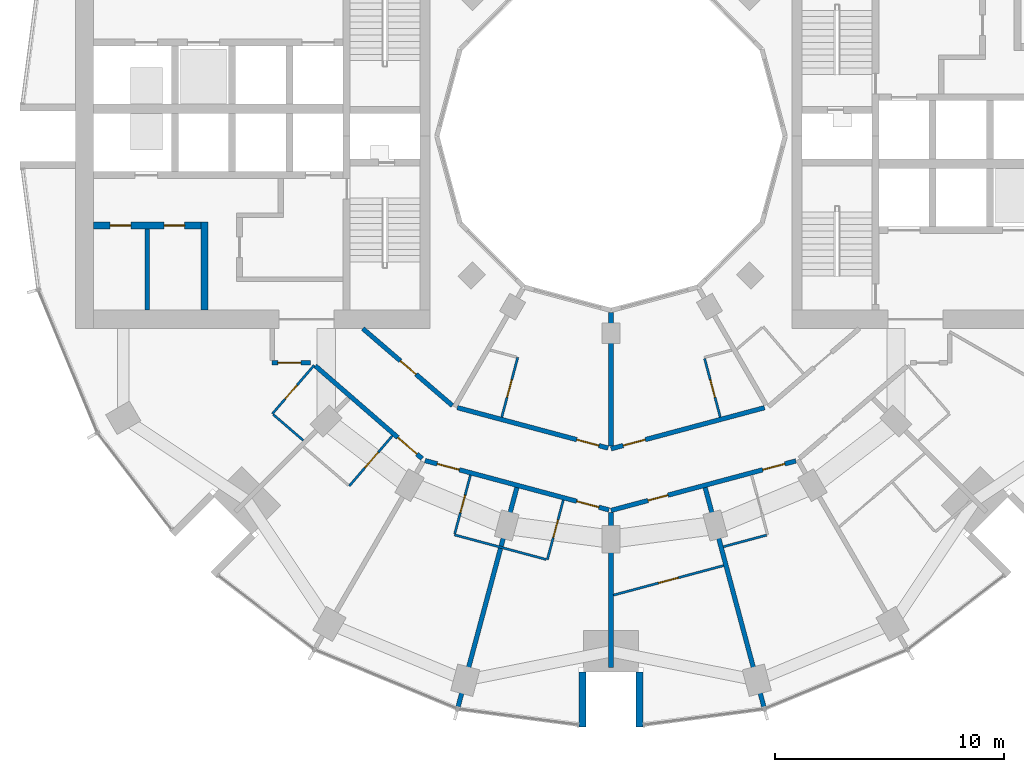
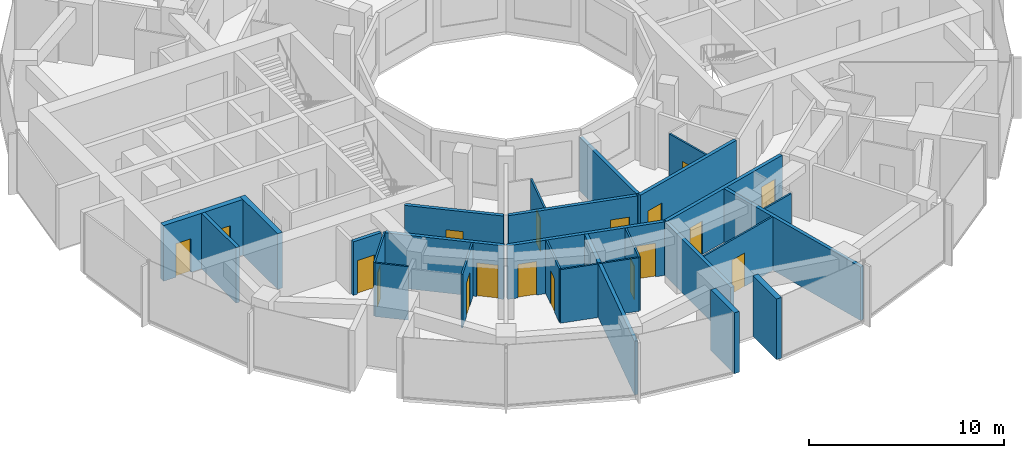
# One storey, part 8 of 15: 26 walls, 18 doors, 18 openings.
"""IFC4 building model written with IfcOpenShell, lengths in metres."""

from ifc_helpers import new_model, si_unit, direction, frame, frame_2d, origin, place, context, subcontext, project, spatial, rectangle, extrude, material, layer, layer_set, type_object, element, fill, save


model = new_model("IFC4")

# Units and contexts
model_context = context("Model", 3, precision=1e-05, world=origin(), true_north=direction((0.0, 1.0)))
body_context = subcontext(model_context, "Body", "Model", "MODEL_VIEW")
ifc_project = project(units=[si_unit("LENGTHUNIT", "METRE"), si_unit("AREAUNIT", "SQUARE_METRE"), si_unit("VOLUMEUNIT", "CUBIC_METRE"), si_unit("PLANEANGLEUNIT", "RADIAN"), si_unit("MASSUNIT", "GRAM", prefix="KILO")], contexts=[model_context])

# Site, building, storey
site_placement = place(None, origin())
site = spatial("IfcSite", under=ifc_project, at=site_placement, CompositionType="ELEMENT")
building_placement = place(site_placement, origin())
building = spatial("IfcBuilding", under=site, at=building_placement, Name="Torre Brocal", CompositionType="ELEMENT")
storey_placement = place(building_placement, frame((0.0, 0.0, 40.199951171875)))
storey = spatial("IfcBuildingStorey", under=building, at=storey_placement, Name="L08", CompositionType="ELEMENT", Elevation=40.199951171875)

# Walls
ifc_material_1 = material(Name="Masonry block", Category="masonry")
ifc_layer_1 = layer(ifc_material_1, 0.199951171875)
ifc_layer_set_1 = layer_set([ifc_layer_1], Name="Masonry block")
wall_type_1 = type_object("IfcWallType", Name="CORE PARTITION 200", PredefinedType="PARTITIONING", material=ifc_layer_set_1)
wall_1_placement = place(storey_placement, frame((59.75, 70.949951171875, 0.0), z_axis=(0.0, 0.0, 1.0), x_axis=(0.0, -1.0, 0.0)))
element("IfcWall", 1, at=wall_1_placement, inside=storey, type_object=wall_type_1, Name="Wall CP200", PredefinedType="PARTITIONING", context=body_context, shape_type="SweptSolid", body=[
    extrude(rectangle(XDim=3.550048828125, YDim=0.199951171875, at=frame_2d((1.77490234375, 0.0))), origin(), (0.0, 0.0, 1.0), 3.47998046875),
])
ifc_material_2 = material(Name="Concrete C80", Category="concrete")
ifc_layer_2 = layer(ifc_material_2, 0.300048828125)
ifc_layer_set_2 = layer_set([ifc_layer_2], Name="Concrete C80")
wall_type_2 = type_object("IfcWallType", Name="CORE WALL 300 C80", PredefinedType="SHEAR", material=ifc_layer_set_2)
wall_2_placement = place(storey_placement, frame((62.25, 71.25, 0.0), z_axis=(0.0, 0.0, 1.0), x_axis=(0.0, -1.0, 0.0)))
element("IfcWall", 2, at=wall_2_placement, inside=storey, type_object=wall_type_2, Name="Wall CW300-80", PredefinedType="SHEAR", context=body_context, shape_type="SweptSolid", body=[
    extrude(rectangle(XDim=3.85009765625, YDim=0.300048828125, at=frame_2d((1.925048828125, 0.0))), origin(), (0.0, 0.0, 1.0), 3.47998046875),
])

# Wall, openings, doors
wall_3_placement = place(storey_placement, frame((62.10009765625, 71.10009765625, 0.0), z_axis=(0.0, 0.0, 1.0), x_axis=(-1.0, 0.0, 0.0)))
wall_3 = element("IfcWall", 3, at=wall_3_placement, inside=storey, type_object=wall_type_2, Name="Wall CW300-80", PredefinedType="SHEAR", context=body_context, shape_type="SweptSolid", body=[
    extrude(rectangle(XDim=4.7001953125, YDim=0.300048828125, at=frame_2d((2.35009765625, 0.0))), origin(), (0.0, 0.0, 1.0), 3.47998046875),
])
opening_1_placement = place(wall_3_placement, frame((0.72509765625, 0.0, 0.0)))
opening_1 = element("IfcOpeningElement", 4, at=opening_1_placement, cuts=wall_3, Name="Opening W-D05", PredefinedType="OPENING", context=body_context, shape_type="SweptSolid", body=[
    extrude(rectangle(XDim=0.89990234375, YDim=2.10009765625, at=frame_2d((0.449951171875, 1.050048828125))), frame((0.0, 0.159912109375, 0.0), z_axis=(0.0, -1.0, 0.0), x_axis=(1.0, 0.0, 0.0)), (0.0, 0.0, 1.0), 0.320068359375),
])
opening_2_placement = place(wall_3_placement, frame((3.074951171875, 0.0, 0.0)))
opening_2 = element("IfcOpeningElement", 5, at=opening_2_placement, cuts=wall_3, Name="Opening W-D06", PredefinedType="OPENING", context=body_context, shape_type="SweptSolid", body=[
    extrude(rectangle(XDim=0.89990234375, YDim=2.10009765625, at=frame_2d((0.449951171875, 1.050048828125))), frame((0.0, 0.159912109375, 0.0), z_axis=(0.0, -1.0, 0.0), x_axis=(1.0, 0.0, 0.0)), (0.0, 0.0, 1.0), 0.320068359375),
])
ifc_material_3 = material(Name="Steel A653", Category="steel")
door_type_1 = type_object("IfcDoorType", Name="ROOM DOOR FD30S 900X2100", OperationType="SINGLE_SWING_LEFT", PredefinedType="DOOR", material=ifc_material_3)
door_1_placement = place(opening_1_placement, origin())
door_1 = element("IfcDoor", 6, at=door_1_placement, inside=storey, type_object=door_type_1, Name="Door W-D05", OperationType="SINGLE_SWING_RIGHT", OverallHeight=2.10009765625, OverallWidth=0.89990234375, PredefinedType="DOOR", context=body_context, shape_type="SweptSolid", body=[
    extrude(rectangle(XDim=0.89990234375, YDim=2.10009765625, at=frame_2d((0.449951171875, 1.050048828125))), frame((0.0, 0.02490234375, 0.0), z_axis=(0.0, -1.0, 0.0), x_axis=(1.0, 0.0, 0.0)), (0.0, 0.0, 1.0), 0.050048828125),
])
fill(opening_1, door_1)
door_2_placement = place(opening_2_placement, origin())
door_2 = element("IfcDoor", 7, at=door_2_placement, inside=storey, type_object=door_type_1, Name="Door W-D06", OperationType="SINGLE_SWING_LEFT", OverallHeight=2.10009765625, OverallWidth=0.89990234375, PredefinedType="DOOR", context=body_context, shape_type="SweptSolid", body=[
    extrude(rectangle(XDim=0.89990234375, YDim=2.10009765625, at=frame_2d((0.449951171875, 1.050048828125))), frame((0.0, 0.02490234375, 0.0), z_axis=(0.0, -1.0, 0.0), x_axis=(1.0, 0.0, 0.0)), (0.0, 0.0, 1.0), 0.050048828125),
])
fill(opening_2, door_2)

# Walls
ifc_material_4 = material(Name="Concrete C80", Category="concrete")
ifc_layer_3 = layer(ifc_material_4, 0.300048828125)
ifc_layer_set_3 = layer_set([ifc_layer_3], Name="Concrete C80")
wall_type_3 = type_object("IfcWallType", Name="NOTCH RETURN WALL 300 C80", PredefinedType="NOTDEFINED", material=ifc_layer_set_3)
for number, where, z_axis, x_axis, name in (
    (8, (78.75, 51.60009765625, 0.0), (0.0, 0.0, 1.0), (0.0, -1.0, 0.0), "NOTCH RETURN WALL"),
    (9, (81.25, 51.60009765625, 0.0), (0.0, 0.0, 1.0), (0.0, -1.0, 0.0), "NOTCH RETURN WALL"),
):
    element("IfcWall", number, at=place(storey_placement, frame(where, z_axis=z_axis, x_axis=x_axis)), inside=storey, type_object=wall_type_3, Name=name, PredefinedType="NOTDEFINED", context=body_context, shape_type="SweptSolid", body=[
        extrude(rectangle(XDim=2.415771484375, YDim=0.300048828125, at=frame_2d((1.2080078125, 0.0))), origin(), (0.0, 0.0, 1.0), 3.800048828125),
    ])
ifc_material_5 = material(Name="Gypsum board", Category="Gypsum")
ifc_layer_4 = layer(ifc_material_5, 0.10009765625)
ifc_layer_set_4 = layer_set([ifc_layer_4], Name="Gypsum board")
wall_type_4 = type_object("IfcWallType", Name="PARTITION 100", PredefinedType="PARTITIONING", material=ifc_layer_set_4)
wall_4_placement = place(storey_placement, frame((65.245849609375, 62.84228515625, 0.0), z_axis=(0.0, 0.0, 1.0), x_axis=(0.758030338995, -0.652219292234, 0.0)))
element("IfcWall", 10, at=wall_4_placement, inside=storey, type_object=wall_type_4, Name="BATHROOM WALL", PredefinedType="PARTITIONING", context=body_context, shape_type="SweptSolid", body=[
    extrude(rectangle(XDim=1.73046875, YDim=0.10009765625, at=frame_2d((0.865234375, 0.0))), origin(), (0.0, 0.0, 1.0), 3.35009765625),
])

# Wall, opening, door
wall_5_placement = place(storey_placement, frame((65.2080078125, 62.875, 0.0), z_axis=(0.0, 0.0, 1.0), x_axis=(0.65205430601, 0.758172264076, 0.0)))
wall_5 = element("IfcWall", 11, at=wall_5_placement, inside=storey, type_object=wall_type_4, Name="BATHROOM WALL", PredefinedType="PARTITIONING", context=body_context, shape_type="SweptSolid", body=[
    extrude(rectangle(XDim=2.7998046875, YDim=0.10009765625, at=frame_2d((1.39990234375, 0.0))), origin(), (0.0, 0.0, 1.0), 3.35009765625),
])
opening_3_placement = place(wall_5_placement, frame((0.85009765625, 0.0, 0.0)))
opening_3 = element("IfcOpeningElement", 12, at=opening_3_placement, cuts=wall_5, Name="Opening H02-D40", PredefinedType="OPENING", context=body_context, shape_type="SweptSolid", body=[
    extrude(rectangle(XDim=0.800048828125, YDim=2.10009765625, at=frame_2d((0.39990234375, 1.050048828125))), frame((0.0, 0.06005859375, 0.0), z_axis=(0.0, -1.0, 0.0), x_axis=(1.0, 0.0, 0.0)), (0.0, 0.0, 1.0), 0.1201171875),
])
ifc_material_6 = material(Name="Timber", Category="wood")
door_type_2 = type_object("IfcDoorType", Name="BATHROOM DOOR 800X2100", OperationType="SINGLE_SWING_LEFT", PredefinedType="DOOR", material=ifc_material_6)
door_3_placement = place(opening_3_placement, frame((0.800048828125, 0.0, 0.0), z_axis=(0.0, 0.0, 1.0), x_axis=(-1.0, 0.0, 0.0)))
door_3 = element("IfcDoor", 13, at=door_3_placement, inside=storey, type_object=door_type_2, Name="H02-D40", OperationType="SINGLE_SWING_RIGHT", OverallHeight=2.10009765625, OverallWidth=0.800048828125, PredefinedType="DOOR", context=body_context, shape_type="SweptSolid", body=[
    extrude(rectangle(XDim=0.800048828125, YDim=2.10009765625, at=frame_2d((0.39990234375, 1.050048828125))), frame((0.0, 0.02490234375, 0.0), z_axis=(0.0, -1.0, 0.0), x_axis=(1.0, 0.0, 0.0)), (0.0, 0.0, 1.0), 0.050048828125),
])
fill(opening_3, door_3)

wall_6_placement = place(storey_placement, frame((68.56591796875, 59.721923828125, 0.0), z_axis=(0.0, 0.0, 1.0), x_axis=(0.65193146671, 0.758277892803, 0.0)))
wall_6 = element("IfcWall", 14, at=wall_6_placement, inside=storey, type_object=wall_type_4, Name="BATHROOM WALL", PredefinedType="PARTITIONING", context=body_context, shape_type="SweptSolid", body=[
    extrude(rectangle(XDim=2.890380859375, YDim=0.10009765625, at=frame_2d((1.4453125, 0.0))), origin(), (0.0, 0.0, 1.0), 3.35009765625),
])
opening_4_placement = place(wall_6_placement, frame((1.050048828125, 0.0, 0.0)))
opening_4 = element("IfcOpeningElement", 15, at=opening_4_placement, cuts=wall_6, Name="Opening H02-D38", PredefinedType="OPENING", context=body_context, shape_type="SweptSolid", body=[
    extrude(rectangle(XDim=0.89990234375, YDim=2.10009765625, at=frame_2d((0.449951171875, 1.050048828125))), frame((0.0, 0.06005859375, 0.0), z_axis=(0.0, -1.0, 0.0), x_axis=(1.0, 0.0, 0.0)), (0.0, 0.0, 1.0), 0.1201171875),
])
ifc_material_7 = material(Name="Timber", Category="wood")
door_type_3 = type_object("IfcDoorType", Name="ACCESSIBLE BATHROOM DOOR 900X2100", OperationType="SINGLE_SWING_LEFT", PredefinedType="DOOR", material=ifc_material_7)
door_4_placement = place(opening_4_placement, origin())
door_4 = element("IfcDoor", 16, at=door_4_placement, inside=storey, type_object=door_type_3, Name="H02-D38", OperationType="SINGLE_SWING_RIGHT", OverallHeight=2.10009765625, OverallWidth=0.89990234375, PredefinedType="DOOR", context=body_context, shape_type="SweptSolid", body=[
    extrude(rectangle(XDim=0.89990234375, YDim=2.10009765625, at=frame_2d((0.449951171875, 1.050048828125))), frame((0.0, 0.02490234375, 0.0), z_axis=(0.0, -1.0, 0.0), x_axis=(1.0, 0.0, 0.0)), (0.0, 0.0, 1.0), 0.050048828125),
])
fill(opening_4, door_4)

wall_7_placement = place(storey_placement, frame((73.173828125, 57.63623046875, 0.0), z_axis=(0.0, 0.0, 1.0), x_axis=(0.258952498977, 0.96589005755, 0.0)))
wall_7 = element("IfcWall", 17, at=wall_7_placement, inside=storey, type_object=wall_type_4, Name="BATHROOM WALL", PredefinedType="PARTITIONING", context=body_context, shape_type="SweptSolid", body=[
    extrude(rectangle(XDim=2.650146484375, YDim=0.10009765625, at=frame_2d((1.3251953125, 0.0))), origin(), (0.0, 0.0, 1.0), 3.35009765625),
])
opening_5_placement = place(wall_7_placement, frame((0.9501953125, 0.0, 0.0)))
opening_5 = element("IfcOpeningElement", 18, at=opening_5_placement, cuts=wall_7, Name="Opening H02-D36", PredefinedType="OPENING", context=body_context, shape_type="SweptSolid", body=[
    extrude(rectangle(XDim=0.800048828125, YDim=2.10009765625, at=frame_2d((0.39990234375, 1.050048828125))), frame((0.0, 0.06005859375, 0.0), z_axis=(0.0, -1.0, 0.0), x_axis=(1.0, 0.0, 0.0)), (0.0, 0.0, 1.0), 0.1201171875),
])
door_5_placement = place(opening_5_placement, frame((0.800048828125, 0.0, 0.0), z_axis=(0.0, 0.0, 1.0), x_axis=(-1.0, 0.0, 0.0)))
door_5 = element("IfcDoor", 19, at=door_5_placement, inside=storey, type_object=door_type_2, Name="H02-D36", OperationType="SINGLE_SWING_LEFT", OverallHeight=2.10009765625, OverallWidth=0.800048828125, PredefinedType="DOOR", context=body_context, shape_type="SweptSolid", body=[
    extrude(rectangle(XDim=0.800048828125, YDim=2.10009765625, at=frame_2d((0.39990234375, 1.050048828125))), frame((0.0, 0.02490234375, 0.0), z_axis=(0.0, -1.0, 0.0), x_axis=(1.0, 0.0, 0.0)), (0.0, 0.0, 1.0), 0.050048828125),
])
fill(opening_5, door_5)

# Wall
wall_8_placement = place(storey_placement, frame((73.160888671875, 57.587890625, 0.0), z_axis=(0.0, 0.0, 1.0), x_axis=(0.965858994467, -0.259068336173, 0.0)))
element("IfcWall", 20, at=wall_8_placement, inside=storey, type_object=wall_type_4, Name="BATHROOM WALL", PredefinedType="PARTITIONING", context=body_context, shape_type="SweptSolid", body=[
    extrude(rectangle(XDim=4.150146484375, YDim=0.10009765625, at=frame_2d((2.0751953125, 0.0))), origin(), (0.0, 0.0, 1.0), 3.35009765625),
])

# Wall, opening, door
wall_9_placement = place(storey_placement, frame((75.226806640625, 62.728759765625, 0.0), z_axis=(0.0, 0.0, 1.0), x_axis=(0.258945475746, 0.965891940432, 0.0)))
wall_9 = element("IfcWall", 21, at=wall_9_placement, inside=storey, type_object=wall_type_4, Name="BATHROOM WALL", PredefinedType="PARTITIONING", context=body_context, shape_type="SweptSolid", body=[
    extrude(rectangle(XDim=2.7001953125, YDim=0.10009765625, at=frame_2d((1.35009765625, 0.0))), origin(), (0.0, 0.0, 1.0), 3.35009765625),
])
opening_6_placement = place(wall_9_placement, frame((0.900146484375, 0.0, 0.0)))
opening_6 = element("IfcOpeningElement", 22, at=opening_6_placement, cuts=wall_9, Name="Opening H02-D46", PredefinedType="OPENING", context=body_context, shape_type="SweptSolid", body=[
    extrude(rectangle(XDim=0.800048828125, YDim=2.10009765625, at=frame_2d((0.39990234375, 1.050048828125))), frame((0.0, 0.06005859375, 0.0), z_axis=(0.0, -1.0, 0.0), x_axis=(1.0, 0.0, 0.0)), (0.0, 0.0, 1.0), 0.1201171875),
])
door_6_placement = place(opening_6_placement, origin())
door_6 = element("IfcDoor", 23, at=door_6_placement, inside=storey, type_object=door_type_2, Name="H02-D46", OperationType="SINGLE_SWING_LEFT", OverallHeight=2.10009765625, OverallWidth=0.800048828125, PredefinedType="DOOR", context=body_context, shape_type="SweptSolid", body=[
    extrude(rectangle(XDim=0.800048828125, YDim=2.10009765625, at=frame_2d((0.39990234375, 1.050048828125))), frame((0.0, 0.02490234375, 0.0), z_axis=(0.0, -1.0, 0.0), x_axis=(1.0, 0.0, 0.0)), (0.0, 0.0, 1.0), 0.050048828125),
])
fill(opening_6, door_6)

wall_10_placement = place(storey_placement, frame((77.218017578125, 56.5009765625, 0.0), z_axis=(0.0, 0.0, 1.0), x_axis=(0.258591408257, 0.965986792651, 0.0)))
wall_10 = element("IfcWall", 24, at=wall_10_placement, inside=storey, type_object=wall_type_4, Name="BATHROOM WALL", PredefinedType="PARTITIONING", context=body_context, shape_type="SweptSolid", body=[
    extrude(rectangle(XDim=2.69921875, YDim=0.10009765625, at=frame_2d((1.349609375, 0.0))), origin(), (0.0, 0.0, 1.0), 3.35009765625),
])
opening_7_placement = place(wall_10_placement, frame((0.99951171875, 0.0, 0.0)))
opening_7 = element("IfcOpeningElement", 25, at=opening_7_placement, cuts=wall_10, Name="Opening H02-D34", PredefinedType="OPENING", context=body_context, shape_type="SweptSolid", body=[
    extrude(rectangle(XDim=0.800048828125, YDim=2.10009765625, at=frame_2d((0.39990234375, 1.050048828125))), frame((0.0, 0.06005859375, 0.0), z_axis=(0.0, -1.0, 0.0), x_axis=(1.0, 0.0, 0.0)), (0.0, 0.0, 1.0), 0.1201171875),
])
door_7_placement = place(opening_7_placement, origin())
door_7 = element("IfcDoor", 26, at=door_7_placement, inside=storey, type_object=door_type_2, Name="H02-D34", OperationType="SINGLE_SWING_RIGHT", OverallHeight=2.10009765625, OverallWidth=0.800048828125, PredefinedType="DOOR", context=body_context, shape_type="SweptSolid", body=[
    extrude(rectangle(XDim=0.800048828125, YDim=2.10009765625, at=frame_2d((0.39990234375, 1.050048828125))), frame((0.0, 0.02490234375, 0.0), z_axis=(0.0, -1.0, 0.0), x_axis=(1.0, 0.0, 0.0)), (0.0, 0.0, 1.0), 0.050048828125),
])
fill(opening_7, door_7)

wall_11_placement = place(storey_placement, frame((80.106201171875, 54.95556640625, 0.0), z_axis=(0.0, 0.0, 1.0), x_axis=(0.965910666284, 0.258875616386, 0.0)))
wall_11 = element("IfcWall", 27, at=wall_11_placement, inside=storey, type_object=wall_type_4, Name="ROOM PARTITION", PredefinedType="PARTITIONING", context=body_context, shape_type="SweptSolid", body=[
    extrude(rectangle(XDim=4.985107421875, YDim=0.10009765625, at=frame_2d((2.49267578125, 0.0))), origin(), (0.0, 0.0, 1.0), 3.35009765625),
])
opening_8_placement = place(wall_11_placement, frame((2.03759765625, 0.0, 0.0)))
opening_8 = element("IfcOpeningElement", 28, at=opening_8_placement, cuts=wall_11, Name="Opening H02-D32", PredefinedType="OPENING", context=body_context, shape_type="SweptSolid", body=[
    extrude(rectangle(XDim=0.89990234375, YDim=2.10009765625, at=frame_2d((0.449951171875, 1.050048828125))), frame((0.0, 0.06005859375, 0.0), z_axis=(0.0, -1.0, 0.0), x_axis=(1.0, 0.0, 0.0)), (0.0, 0.0, 1.0), 0.1201171875),
])
ifc_material_8 = material(Name="Timber", Category="wood")
door_type_4 = type_object("IfcDoorType", Name="ROOM DOOR 900X2100", OperationType="SINGLE_SWING_LEFT", PredefinedType="DOOR", material=ifc_material_8)
door_8_placement = place(opening_8_placement, origin())
door_8 = element("IfcDoor", 29, at=door_8_placement, inside=storey, type_object=door_type_4, Name="H02-D32", OperationType="SINGLE_SWING_LEFT", OverallHeight=2.10009765625, OverallWidth=0.89990234375, PredefinedType="DOOR", context=body_context, shape_type="SweptSolid", body=[
    extrude(rectangle(XDim=0.89990234375, YDim=2.10009765625, at=frame_2d((0.449951171875, 1.050048828125))), frame((0.0, 0.02490234375, 0.0), z_axis=(0.0, -1.0, 0.0), x_axis=(1.0, 0.0, 0.0)), (0.0, 0.0, 1.0), 0.050048828125),
])
fill(opening_8, door_8)

wall_12_placement = place(storey_placement, frame((84.0869140625, 65.288818359375, 0.0), z_axis=(0.0, 0.0, 1.0), x_axis=(0.258929459649, -0.965896234037, 0.0)))
wall_12 = element("IfcWall", 30, at=wall_12_placement, inside=storey, type_object=wall_type_4, Name="BATHROOM WALL", PredefinedType="PARTITIONING", context=body_context, shape_type="SweptSolid", body=[
    extrude(rectangle(XDim=2.650390625, YDim=0.10009765625, at=frame_2d((1.3251953125, 0.0))), origin(), (0.0, 0.0, 1.0), 3.35009765625),
])
opening_9_placement = place(wall_12_placement, frame((0.9501953125, 0.0, 0.0)))
opening_9 = element("IfcOpeningElement", 31, at=opening_9_placement, cuts=wall_12, Name="Opening H02-D44", PredefinedType="OPENING", context=body_context, shape_type="SweptSolid", body=[
    extrude(rectangle(XDim=0.800048828125, YDim=2.10009765625, at=frame_2d((0.39990234375, 1.050048828125))), frame((0.0, 0.06005859375, 0.0), z_axis=(0.0, -1.0, 0.0), x_axis=(1.0, 0.0, 0.0)), (0.0, 0.0, 1.0), 0.1201171875),
])
door_9_placement = place(opening_9_placement, origin())
door_9 = element("IfcDoor", 32, at=door_9_placement, inside=storey, type_object=door_type_2, Name="H02-D44", OperationType="SINGLE_SWING_RIGHT", OverallHeight=2.10009765625, OverallWidth=0.800048828125, PredefinedType="DOOR", context=body_context, shape_type="SweptSolid", body=[
    extrude(rectangle(XDim=0.800048828125, YDim=2.10009765625, at=frame_2d((0.39990234375, 1.050048828125))), frame((0.0, 0.02490234375, 0.0), z_axis=(0.0, -1.0, 0.0), x_axis=(1.0, 0.0, 0.0)), (0.0, 0.0, 1.0), 0.050048828125),
])
fill(opening_9, door_9)

# Wall
wall_13_placement = place(storey_placement, frame((84.90771484375, 57.06982421875, 0.0), z_axis=(0.0, 0.0, 1.0), x_axis=(0.965853538138, 0.25908867761, 0.0)))
element("IfcWall", 33, at=wall_13_placement, inside=storey, type_object=wall_type_4, Name="BATHROOM WALL", PredefinedType="PARTITIONING", context=body_context, shape_type="SweptSolid", body=[
    extrude(rectangle(XDim=1.94970703125, YDim=0.10009765625, at=frame_2d((0.974853515625, 0.0))), origin(), (0.0, 0.0, 1.0), 3.35009765625),
])

# Wall, opening, door
ifc_material_9 = material(Name="Gypsum board", Category="Gypsum")
ifc_layer_5 = layer(ifc_material_9, 0.199951171875)
ifc_layer_set_5 = layer_set([ifc_layer_5], Name="Gypsum board")
wall_type_5 = type_object("IfcWallType", Name="PARTITION 200 EI60", PredefinedType="PARTITIONING", material=ifc_layer_set_5)
wall_14_placement = place(storey_placement, frame((65.199951171875, 65.10009765625, 0.0), z_axis=(0.0, 0.0, 1.0), x_axis=(1.0, 0.0, 0.0)))
wall_14 = element("IfcWall", 34, at=wall_14_placement, inside=storey, type_object=wall_type_5, Name="GUESTROOM CORRIDOR WALL", PredefinedType="PARTITIONING", context=body_context, shape_type="SweptSolid", body=[
    extrude(rectangle(XDim=1.6650390625, YDim=0.199951171875, at=frame_2d((0.83251953125, 0.0))), origin(), (0.0, 0.0, 1.0), 3.35009765625),
])
opening_10_placement = place(wall_14_placement, frame((0.25, 0.0, 0.0)))
opening_10 = element("IfcOpeningElement", 35, at=opening_10_placement, cuts=wall_14, Name="Opening H02-D39", PredefinedType="OPENING", context=body_context, shape_type="SweptSolid", body=[
    extrude(rectangle(XDim=1.0, YDim=2.10009765625, at=frame_2d((0.5, 1.050048828125))), frame((0.0, 0.10986328125, 0.0), z_axis=(0.0, -1.0, 0.0), x_axis=(1.0, 0.0, 0.0)), (0.0, 0.0, 1.0), 0.219970703125),
])
ifc_material_10 = material(Name="Timber", Category="wood")
door_type_5 = type_object("IfcDoorType", Name="FLAT ENTRY DOOR FD30S 1000X2100", OperationType="SINGLE_SWING_RIGHT", PredefinedType="DOOR", material=ifc_material_10)
door_10_placement = place(opening_10_placement, frame((1.0, 0.0, 0.0), z_axis=(0.0, 0.0, 1.0), x_axis=(-1.0, 0.0, 0.0)))
door_10 = element("IfcDoor", 36, at=door_10_placement, inside=storey, type_object=door_type_5, Name="H02-D39", OperationType="SINGLE_SWING_RIGHT", OverallHeight=2.10009765625, OverallWidth=1.0, PredefinedType="DOOR", context=body_context, shape_type="SweptSolid", body=[
    extrude(rectangle(XDim=1.0, YDim=2.10009765625, at=frame_2d((0.5, 1.050048828125))), frame((0.0, 0.02490234375, 0.0), z_axis=(0.0, -1.0, 0.0), x_axis=(1.0, 0.0, 0.0)), (0.0, 0.0, 1.0), 0.050048828125),
])
fill(opening_10, door_10)

wall_15_placement = place(storey_placement, frame((67.08203125, 64.971923828125, 0.0), z_axis=(0.0, 0.0, 1.0), x_axis=(0.755033632617, -0.655686063309, 0.0)))
wall_15 = element("IfcWall", 37, at=wall_15_placement, inside=storey, type_object=wall_type_5, Name="GUESTROOM CORRIDOR WALL", PredefinedType="PARTITIONING", context=body_context, shape_type="SweptSolid", body=[
    extrude(rectangle(XDim=6.185302734375, YDim=0.199951171875, at=frame_2d((3.0927734375, 0.0))), origin(), (0.0, 0.0, 1.0), 3.35009765625),
])
opening_11_placement = place(wall_15_placement, frame((4.778076171875, 0.0, 0.0)))
opening_11 = element("IfcOpeningElement", 38, at=opening_11_placement, cuts=wall_15, Name="Opening H02-D37", PredefinedType="OPENING", context=body_context, shape_type="SweptSolid", body=[
    extrude(rectangle(XDim=1.10009765625, YDim=2.10009765625, at=frame_2d((0.550048828125, 1.050048828125))), frame((0.0, 0.10986328125, 0.0), z_axis=(0.0, -1.0, 0.0), x_axis=(1.0, 0.0, 0.0)), (0.0, 0.0, 1.0), 0.219970703125),
])
ifc_material_11 = material(Name="Timber", Category="wood")
door_type_6 = type_object("IfcDoorType", Name="ACCESSIBLE ENTRY DOOR FD30S 1100X2100", OperationType="SINGLE_SWING_RIGHT", PredefinedType="DOOR", material=ifc_material_11)
door_11_placement = place(opening_11_placement, frame((1.10009765625, 0.0, 0.0), z_axis=(0.0, 0.0, 1.0), x_axis=(-1.0, 0.0, 0.0)))
door_11 = element("IfcDoor", 39, at=door_11_placement, inside=storey, type_object=door_type_6, Name="H02-D37", OperationType="SINGLE_SWING_RIGHT", OverallHeight=2.10009765625, OverallWidth=1.10009765625, PredefinedType="DOOR", context=body_context, shape_type="SweptSolid", body=[
    extrude(rectangle(XDim=1.10009765625, YDim=2.10009765625, at=frame_2d((0.550048828125, 1.050048828125))), frame((0.0, 0.02490234375, 0.0), z_axis=(0.0, -1.0, 0.0), x_axis=(1.0, 0.0, 0.0)), (0.0, 0.0, 1.0), 0.050048828125),
])
fill(opening_11, door_11)

wall_16_placement = place(storey_placement, frame((69.157958984375, 66.60009765625, 0.0), z_axis=(0.0, 0.0, 1.0), x_axis=(0.758063092745, -0.652181222835, 0.0)))
wall_16 = element("IfcWall", 40, at=wall_16_placement, inside=storey, type_object=wall_type_5, Name="CORRIDOR WALL", PredefinedType="PARTITIONING", context=body_context, shape_type="SweptSolid", body=[
    extrude(rectangle(XDim=5.160400390625, YDim=0.199951171875, at=frame_2d((2.580078125, 0.0))), origin(), (0.0, 0.0, 1.0), 3.35009765625),
])
opening_12_placement = place(wall_16_placement, frame((2.165283203125, 0.0, 0.0)))
opening_12 = element("IfcOpeningElement", 41, at=opening_12_placement, cuts=wall_16, Name="Opening H02-D47", PredefinedType="OPENING", context=body_context, shape_type="SweptSolid", body=[
    extrude(rectangle(XDim=0.89990234375, YDim=2.10009765625, at=frame_2d((0.449951171875, 1.050048828125))), frame((0.0, 0.10986328125, 0.0), z_axis=(0.0, -1.0, 0.0), x_axis=(1.0, 0.0, 0.0)), (0.0, 0.0, 1.0), 0.219970703125),
])
door_12_placement = place(opening_12_placement, origin())
door_12 = element("IfcDoor", 42, at=door_12_placement, inside=storey, type_object=door_type_4, Name="H02-D47", OperationType="SINGLE_SWING_LEFT", OverallHeight=2.10009765625, OverallWidth=0.89990234375, PredefinedType="DOOR", context=body_context, shape_type="SweptSolid", body=[
    extrude(rectangle(XDim=0.89990234375, YDim=2.10009765625, at=frame_2d((0.449951171875, 1.050048828125))), frame((0.0, 0.02490234375, 0.0), z_axis=(0.0, -1.0, 0.0), x_axis=(1.0, 0.0, 0.0)), (0.0, 0.0, 1.0), 0.050048828125),
])
fill(opening_12, door_12)

# Wall, openings, doors
wall_17_placement = place(storey_placement, frame((71.877197265625, 60.83154296875, 0.0), z_axis=(0.0, 0.0, 1.0), x_axis=(0.965852509869, -0.259092510851, 0.0)))
wall_17 = element("IfcWall", 43, at=wall_17_placement, inside=storey, type_object=wall_type_5, Name="GUESTROOM CORRIDOR WALL", PredefinedType="PARTITIONING", context=body_context, shape_type="SweptSolid", body=[
    extrude(rectangle(XDim=8.319580078125, YDim=0.199951171875, at=frame_2d((4.15966796875, 0.0))), origin(), (0.0, 0.0, 1.0), 3.35009765625),
])
opening_13_placement = place(wall_17_placement, frame((6.859619140625, 0.0, 0.0)))
opening_13 = element("IfcOpeningElement", 44, at=opening_13_placement, cuts=wall_17, Name="Opening H02-D33", PredefinedType="OPENING", context=body_context, shape_type="SweptSolid", body=[
    extrude(rectangle(XDim=1.0, YDim=2.10009765625, at=frame_2d((0.5, 1.050048828125))), frame((0.0, 0.10986328125, 0.0), z_axis=(0.0, -1.0, 0.0), x_axis=(1.0, 0.0, 0.0)), (0.0, 0.0, 1.0), 0.219970703125),
])
opening_14_placement = place(wall_17_placement, frame((0.550048828125, 0.0, 0.0)))
opening_14 = element("IfcOpeningElement", 45, at=opening_14_placement, cuts=wall_17, Name="Opening H02-D35", PredefinedType="OPENING", context=body_context, shape_type="SweptSolid", body=[
    extrude(rectangle(XDim=1.0, YDim=2.10009765625, at=frame_2d((0.5, 1.050048828125))), frame((0.0, 0.10986328125, 0.0), z_axis=(0.0, -1.0, 0.0), x_axis=(1.0, 0.0, 0.0)), (0.0, 0.0, 1.0), 0.219970703125),
])
door_13_placement = place(opening_13_placement, frame((1.0, 0.0, 0.0), z_axis=(0.0, 0.0, 1.0), x_axis=(-1.0, 0.0, 0.0)))
door_13 = element("IfcDoor", 46, at=door_13_placement, inside=storey, type_object=door_type_5, Name="H02-D33", OperationType="SINGLE_SWING_RIGHT", OverallHeight=2.10009765625, OverallWidth=1.0, PredefinedType="DOOR", context=body_context, shape_type="SweptSolid", body=[
    extrude(rectangle(XDim=1.0, YDim=2.10009765625, at=frame_2d((0.5, 1.050048828125))), frame((0.0, 0.02490234375, 0.0), z_axis=(0.0, -1.0, 0.0), x_axis=(1.0, 0.0, 0.0)), (0.0, 0.0, 1.0), 0.050048828125),
])
fill(opening_13, door_13)
door_14_placement = place(opening_14_placement, frame((1.0, 0.0, 0.0), z_axis=(0.0, 0.0, 1.0), x_axis=(-1.0, 0.0, 0.0)))
door_14 = element("IfcDoor", 47, at=door_14_placement, inside=storey, type_object=door_type_5, Name="H02-D35", OperationType="SINGLE_SWING_LEFT", OverallHeight=2.10009765625, OverallWidth=1.0, PredefinedType="DOOR", context=body_context, shape_type="SweptSolid", body=[
    extrude(rectangle(XDim=1.0, YDim=2.10009765625, at=frame_2d((0.5, 1.050048828125))), frame((0.0, 0.02490234375, 0.0), z_axis=(0.0, -1.0, 0.0), x_axis=(1.0, 0.0, 0.0)), (0.0, 0.0, 1.0), 0.050048828125),
])
fill(opening_14, door_14)

# Wall, opening, door
wall_18_placement = place(storey_placement, frame((73.287353515625, 63.145263671875, 0.0), z_axis=(0.0, 0.0, 1.0), x_axis=(0.965854200194, -0.259086209526, 0.0)))
wall_18 = element("IfcWall", 48, at=wall_18_placement, inside=storey, type_object=wall_type_5, Name="GUESTROOM CORRIDOR WALL", PredefinedType="PARTITIONING", context=body_context, shape_type="SweptSolid", body=[
    extrude(rectangle(XDim=6.819580078125, YDim=0.199951171875, at=frame_2d((3.40966796875, 0.0))), origin(), (0.0, 0.0, 1.0), 3.35009765625),
])
opening_15_placement = place(wall_18_placement, frame((5.399658203125, 0.0, 0.0)))
opening_15 = element("IfcOpeningElement", 49, at=opening_15_placement, cuts=wall_18, Name="Opening H02-D45", PredefinedType="OPENING", context=body_context, shape_type="SweptSolid", body=[
    extrude(rectangle(XDim=1.0, YDim=2.10009765625, at=frame_2d((0.5, 1.050048828125))), frame((0.0, 0.10986328125, 0.0), z_axis=(0.0, -1.0, 0.0), x_axis=(1.0, 0.0, 0.0)), (0.0, 0.0, 1.0), 0.219970703125),
])
door_15_placement = place(opening_15_placement, origin())
door_15 = element("IfcDoor", 50, at=door_15_placement, inside=storey, type_object=door_type_5, Name="H02-D45", OperationType="SINGLE_SWING_RIGHT", OverallHeight=2.10009765625, OverallWidth=1.0, PredefinedType="DOOR", context=body_context, shape_type="SweptSolid", body=[
    extrude(rectangle(XDim=1.0, YDim=2.10009765625, at=frame_2d((0.5, 1.050048828125))), frame((0.0, 0.02490234375, 0.0), z_axis=(0.0, -1.0, 0.0), x_axis=(1.0, 0.0, 0.0)), (0.0, 0.0, 1.0), 0.050048828125),
])
fill(opening_15, door_15)

# Walls
wall_19_placement = place(storey_placement, frame((73.320556640625, 50.081298828125, 0.0), z_axis=(0.0, 0.0, 1.0), x_axis=(0.25891218439, 0.965900864879, 0.0)))
element("IfcWall", 51, at=wall_19_placement, inside=storey, type_object=wall_type_5, Name="BATHROOM WALL", PredefinedType="PARTITIONING", context=body_context, shape_type="SweptSolid", body=[
    extrude(rectangle(XDim=9.909423828125, YDim=0.199951171875, at=frame_2d((4.95458984375, 0.0))), origin(), (0.0, 0.0, 1.0), 3.35009765625),
])
wall_20_placement = place(storey_placement, frame((80.0, 51.800048828125, 0.0), z_axis=(0.0, 0.0, 1.0), x_axis=(0.0, 1.0, 0.0)))
element("IfcWall", 52, at=wall_20_placement, inside=storey, type_object=wall_type_5, Name="SERVICE ROOM WALL", PredefinedType="PARTITIONING", context=body_context, shape_type="SweptSolid", body=[
    extrude(rectangle(XDim=6.763916015625, YDim=0.199951171875, at=frame_2d((3.3818359375, 0.0))), origin(), (0.0, 0.0, 1.0), 3.35009765625),
])

# Wall, openings, doors
wall_21_placement = place(storey_placement, frame((79.999755859375, 58.65478515625, 0.0), z_axis=(0.0, 0.0, 1.0), x_axis=(0.965967338894, 0.258664068224, 0.0)))
wall_21 = element("IfcWall", 53, at=wall_21_placement, inside=storey, type_object=wall_type_5, Name="GUESTROOM CORRIDOR WALL", PredefinedType="PARTITIONING", context=body_context, shape_type="SweptSolid", body=[
    extrude(rectangle(XDim=8.359619140625, YDim=0.199951171875, at=frame_2d((4.1796875, 0.0))), origin(), (0.0, 0.0, 1.0), 3.35009765625),
])
opening_16_placement = place(wall_21_placement, frame((6.859619140625, 0.0, 0.0)))
opening_16 = element("IfcOpeningElement", 54, at=opening_16_placement, cuts=wall_21, Name="Opening H02-D29", PredefinedType="OPENING", context=body_context, shape_type="SweptSolid", body=[
    extrude(rectangle(XDim=1.0, YDim=2.10009765625, at=frame_2d((0.5, 1.050048828125))), frame((0.0, 0.10986328125, 0.0), z_axis=(0.0, -1.0, 0.0), x_axis=(1.0, 0.0, 0.0)), (0.0, 0.0, 1.0), 0.219970703125),
])
opening_17_placement = place(wall_21_placement, frame((1.6748046875, 0.0, 0.0)))
opening_17 = element("IfcOpeningElement", 55, at=opening_17_placement, cuts=wall_21, Name="Opening H02-D31", PredefinedType="OPENING", context=body_context, shape_type="SweptSolid", body=[
    extrude(rectangle(XDim=0.89990234375, YDim=2.10009765625, at=frame_2d((0.449951171875, 1.050048828125))), frame((0.0, 0.10986328125, 0.0), z_axis=(0.0, -1.0, 0.0), x_axis=(1.0, 0.0, 0.0)), (0.0, 0.0, 1.0), 0.219970703125),
])
door_16_placement = place(opening_16_placement, frame((1.0, 0.0, 0.0), z_axis=(0.0, 0.0, 1.0), x_axis=(-1.0, 0.0, 0.0)))
door_16 = element("IfcDoor", 56, at=door_16_placement, inside=storey, type_object=door_type_5, Name="H02-D29", OperationType="SINGLE_SWING_RIGHT", OverallHeight=2.10009765625, OverallWidth=1.0, PredefinedType="DOOR", context=body_context, shape_type="SweptSolid", body=[
    extrude(rectangle(XDim=1.0, YDim=2.10009765625, at=frame_2d((0.5, 1.050048828125))), frame((0.0, 0.02490234375, 0.0), z_axis=(0.0, -1.0, 0.0), x_axis=(1.0, 0.0, 0.0)), (0.0, 0.0, 1.0), 0.050048828125),
])
fill(opening_16, door_16)
door_17_placement = place(opening_17_placement, frame((0.89990234375, 0.0, 0.0), z_axis=(0.0, 0.0, 1.0), x_axis=(-1.0, 0.0, 0.0)))
door_17 = element("IfcDoor", 57, at=door_17_placement, inside=storey, type_object=door_type_4, Name="H02-D31", OperationType="SINGLE_SWING_LEFT", OverallHeight=2.10009765625, OverallWidth=0.89990234375, PredefinedType="DOOR", context=body_context, shape_type="SweptSolid", body=[
    extrude(rectangle(XDim=0.89990234375, YDim=2.10009765625, at=frame_2d((0.449951171875, 1.050048828125))), frame((0.0, 0.02490234375, 0.0), z_axis=(0.0, -1.0, 0.0), x_axis=(1.0, 0.0, 0.0)), (0.0, 0.0, 1.0), 0.050048828125),
])
fill(opening_17, door_17)

# Wall
wall_22_placement = place(storey_placement, frame((80.0, 61.47607421875, 0.0), z_axis=(0.0, 0.0, 1.0), x_axis=(0.0, 1.0, 0.0)))
element("IfcWall", 58, at=wall_22_placement, inside=storey, type_object=wall_type_5, Name="PARTY PARTITION", PredefinedType="PARTITIONING", context=body_context, shape_type="SweptSolid", body=[
    extrude(rectangle(XDim=5.824951171875, YDim=0.199951171875, at=frame_2d((2.91259765625, 0.0))), origin(), (0.0, 0.0, 1.0), 3.35009765625),
])

# Wall, opening, door
wall_23_placement = place(storey_placement, frame((80.0, 61.345947265625, 0.0), z_axis=(0.0, 0.0, 1.0), x_axis=(0.965924181808, 0.258825182312, 0.0)))
wall_23 = element("IfcWall", 59, at=wall_23_placement, inside=storey, type_object=wall_type_5, Name="GUESTROOM CORRIDOR WALL", PredefinedType="PARTITIONING", context=body_context, shape_type="SweptSolid", body=[
    extrude(rectangle(XDim=6.939697265625, YDim=0.199951171875, at=frame_2d((3.4697265625, 0.0))), origin(), (0.0, 0.0, 1.0), 3.35009765625),
])
opening_18_placement = place(wall_23_placement, frame((0.550048828125, 0.0, 0.0)))
opening_18 = element("IfcOpeningElement", 60, at=opening_18_placement, cuts=wall_23, Name="Opening H02-D43", PredefinedType="OPENING", context=body_context, shape_type="SweptSolid", body=[
    extrude(rectangle(XDim=1.0, YDim=2.10009765625, at=frame_2d((0.5, 1.050048828125))), frame((0.0, 0.10986328125, 0.0), z_axis=(0.0, -1.0, 0.0), x_axis=(1.0, 0.0, 0.0)), (0.0, 0.0, 1.0), 0.219970703125),
])
door_18_placement = place(opening_18_placement, origin())
door_18 = element("IfcDoor", 61, at=door_18_placement, inside=storey, type_object=door_type_5, Name="H02-D43", OperationType="SINGLE_SWING_LEFT", OverallHeight=2.10009765625, OverallWidth=1.0, PredefinedType="DOOR", context=body_context, shape_type="SweptSolid", body=[
    extrude(rectangle(XDim=1.0, YDim=2.10009765625, at=frame_2d((0.5, 1.050048828125))), frame((0.0, 0.02490234375, 0.0), z_axis=(0.0, -1.0, 0.0), x_axis=(1.0, 0.0, 0.0)), (0.0, 0.0, 1.0), 0.050048828125),
])
fill(opening_18, door_18)

# Wall
wall_24_placement = place(storey_placement, frame((84.11181640625, 59.65234375, 0.0), z_axis=(0.0, 0.0, 1.0), x_axis=(0.258791091927, -0.965933315886, 0.0)))
element("IfcWall", 62, at=wall_24_placement, inside=storey, type_object=wall_type_5, Name="BATHROOM WALL", PredefinedType="PARTITIONING", context=body_context, shape_type="SweptSolid", body=[
    extrude(rectangle(XDim=9.909423828125, YDim=0.199951171875, at=frame_2d((4.95458984375, 0.0))), origin(), (0.0, 0.0, 1.0), 3.35009765625),
])

save(model, "model.ifc")
